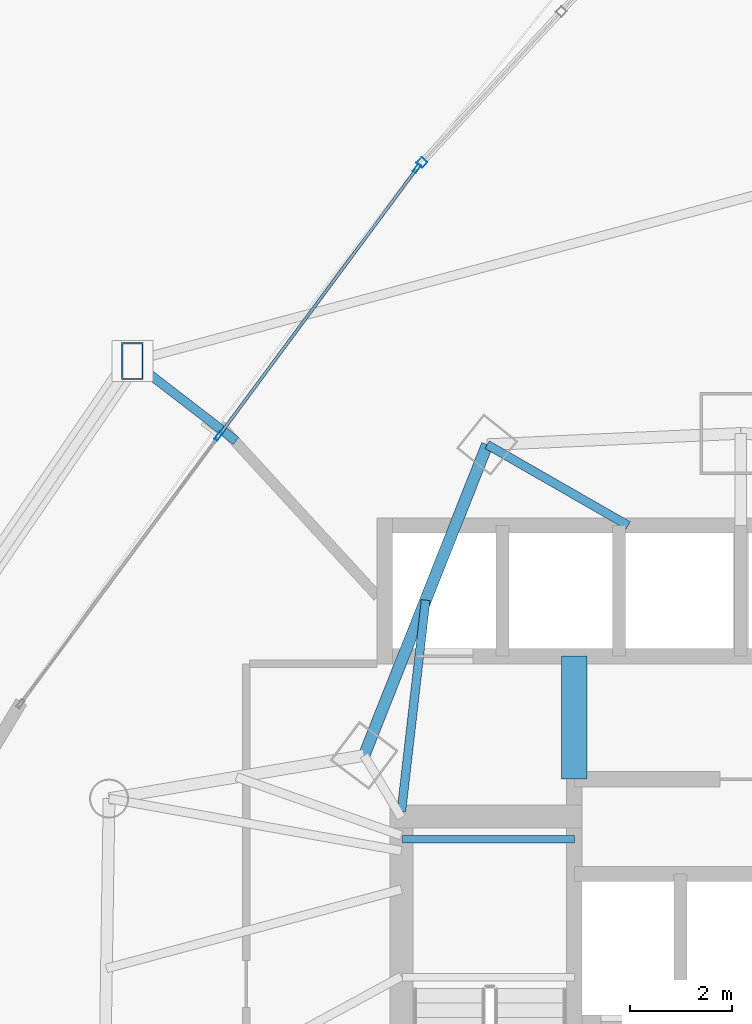
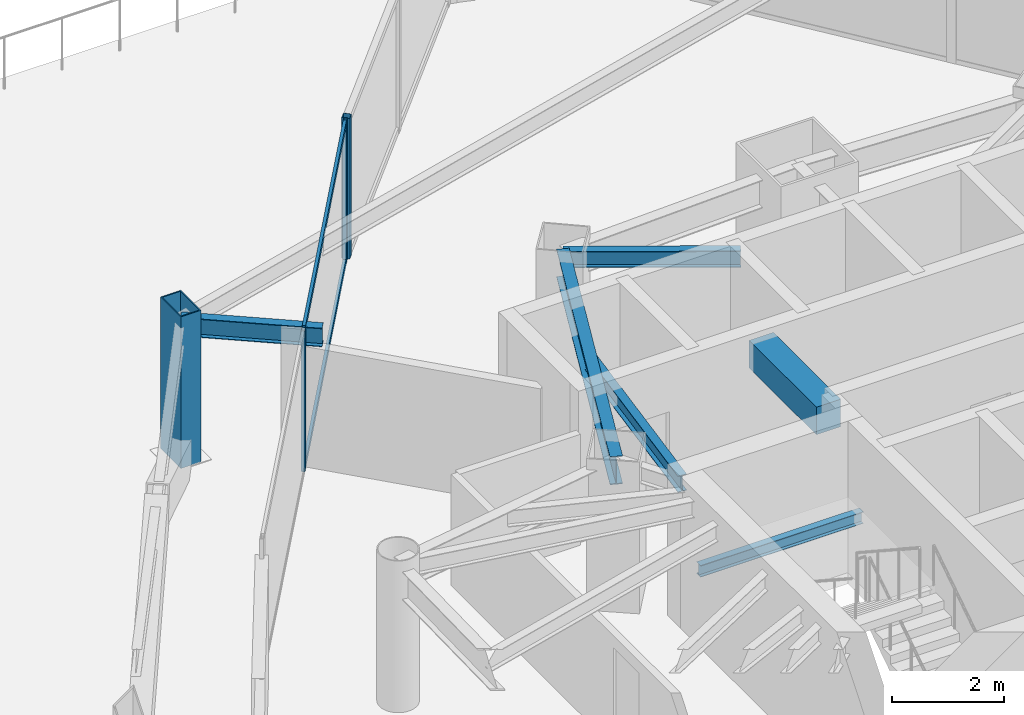
# One storey, part 22 of 36: 6 beams, 6 members, 2 elements without a shape of their own.
"""IFC4 building model written with IfcOpenShell, lengths in metres."""

import ifcopenshell
import ifcopenshell.guid

model = None  # the IFC model being written
_history = None  # IfcOwnerHistory: only IFC2X3 demands one
_inside = {}  # id of a spatial element -> (the spatial element, [elements in it])
_under = {}  # id of a project, library or spatial element -> (it, [spatial elements below it])
_declared = {}  # id of a project -> (the project, [libraries it declares])
_typed = {}  # id of a type object -> (the type object, [elements of that type])
_made_of = {}  # id of a material, layer set ... -> (it, [elements and type objects made of it])


def new_model(schema):
    """Start an empty IFC model of exactly this schema.

    Asked for "IFC4X3", IfcOpenShell would pick the latest addendum, in which some entities
    have other attributes; the version numbers below select the first issue.
    IFC2X3 requires an IfcOwnerHistory on every rooted entity: one is made here for all.
    """
    global model, _history
    if schema == "IFC4X3":
        model = ifcopenshell.file(schema_version=(4, 3, 0, 0))
    else:
        model = ifcopenshell.file(schema=schema)
    _inside.clear()
    _under.clear()
    _declared.clear()
    _typed.clear()
    _made_of.clear()
    _history = None
    if model.schema == "IFC2X3":
        org = make("IfcOrganization", Name="unknown")
        user = make(
            "IfcPersonAndOrganization",
            ThePerson=make("IfcPerson", FamilyName="unknown"),
            TheOrganization=org,
        )
        app = make(
            "IfcApplication",
            ApplicationDeveloper=org,
            Version="unknown",
            ApplicationFullName="unknown",
            ApplicationIdentifier="unknown",
        )
        _history = make(
            "IfcOwnerHistory",
            OwningUser=user,
            OwningApplication=app,
            ChangeAction="ADDED",
            CreationDate=0,
        )
    return model


def make(cls, **values):
    """One entity of the class cls with the attributes given. An attribute that is None is left unset."""
    return model.create_entity(
        cls, **{name: value for name, value in values.items() if value is not None}
    )


def rooted(cls, **values):
    """An entity with a GlobalId (a new one), such as an element, a storey or a relation."""
    return make(cls, GlobalId=ifcopenshell.guid.new(), OwnerHistory=_history, **values)


def si_unit(unit_type, name, prefix=None):
    """IfcSIUnit, for example si_unit("LENGTHUNIT", "METRE", prefix="MILLI")."""
    return make("IfcSIUnit", UnitType=unit_type, Prefix=prefix, Name=name)


def assignment(units):
    """IfcUnitAssignment: the units of a project."""
    return None if units is None else make("IfcUnitAssignment", Units=units)


def point(xyz):
    """IfcCartesianPoint."""
    return None if xyz is None else make("IfcCartesianPoint", Coordinates=xyz)


def direction(xyz):
    """IfcDirection."""
    return None if xyz is None else make("IfcDirection", DirectionRatios=xyz)


def frame(location, z_axis=None, x_axis=None):
    """IfcAxis2Placement3D, a coordinate frame: its origin and axes. An axis left out is left unset."""
    return make(
        "IfcAxis2Placement3D",
        Location=point(location),
        Axis=direction(z_axis),
        RefDirection=direction(x_axis),
    )


def frame_2d(location, x_axis=None):
    """IfcAxis2Placement2D, a coordinate frame in the plane: its origin and x axis."""
    return make(
        "IfcAxis2Placement2D", Location=point(location), RefDirection=direction(x_axis)
    )


def origin():
    """The frame at (0, 0, 0) with its axes left unset."""
    return frame((0.0, 0.0, 0.0))


def origin_2d():
    """The frame at (0, 0) in the plane with its x axis left unset."""
    return frame_2d((0.0, 0.0))


def place(relative_to, where):
    """IfcLocalPlacement: puts the frame where relative to a parent placement (None: the world)."""
    return make(
        "IfcLocalPlacement", PlacementRelTo=relative_to, RelativePlacement=where
    )


def context(
    kind, dimensions, precision=None, world=None, true_north=None, identifier=None
):
    """IfcGeometricRepresentationContext, for example the 3D "Model" context."""
    return make(
        "IfcGeometricRepresentationContext",
        ContextIdentifier=identifier,
        ContextType=kind,
        CoordinateSpaceDimension=dimensions,
        Precision=precision,
        WorldCoordinateSystem=world,
        TrueNorth=true_north,
    )


def subcontext(parent, identifier, kind, view, scale=None):
    """IfcGeometricRepresentationSubContext, for example "Body" below "Model"."""
    return make(
        "IfcGeometricRepresentationSubContext",
        ContextIdentifier=identifier,
        ContextType=kind,
        ParentContext=parent,
        TargetScale=scale,
        TargetView=view,
    )


def project(units=None, contexts=None):
    """IfcProject with its units and contexts."""
    return rooted(
        "IfcProject",
        Name="project",
        RepresentationContexts=contexts,
        UnitsInContext=assignment(units),
    )


def spatial(cls, under=None, at=None, **own):
    """A site, building, storey or space (cls), placed at a placement, below another one or the project."""
    s = rooted(cls, ObjectPlacement=at, **own)
    if under is not None:
        _under.setdefault(under.id(), (under, []))[1].append(s)
    return s


def profile(cls, at=None, kind="AREA", **sizes):
    """A parametric profile (cls). Its sizes go by their IFC names, for example OverallWidth=200.0."""
    return make(cls, ProfileType=kind, Position=at, **sizes)


def rectangle(**sizes):
    """IfcRectangleProfileDef."""
    return profile("IfcRectangleProfileDef", **sizes)


def hollow_rectangle(**sizes):
    """IfcRectangleHollowProfileDef."""
    return profile("IfcRectangleHollowProfileDef", **sizes)


def i_section(**sizes):
    """IfcIShapeProfileDef."""
    return profile("IfcIShapeProfileDef", **sizes)


def extrude(swept, where, along, depth):
    """IfcExtrudedAreaSolid: the profile swept, set in the frame where, extruded along a direction by depth."""
    return make(
        "IfcExtrudedAreaSolid",
        SweptArea=swept,
        Position=where,
        ExtrudedDirection=direction(along),
        Depth=depth,
    )


def shape(context_of_items, identifier, shape_type, items):
    """IfcShapeRepresentation: the items that make up one representation, for example the "Body"."""
    return make(
        "IfcShapeRepresentation",
        ContextOfItems=context_of_items,
        RepresentationIdentifier=identifier,
        RepresentationType=shape_type,
        Items=items,
    )


def material(Name=None, Category=None):
    """IfcMaterial."""
    return make("IfcMaterial", Name=Name, Category=Category)


def layer(
    of_material, thickness, ventilated=None, Name=None, Category=None, Priority=None
):
    """IfcMaterialLayer: one layer of a wall or slab, of a material (None: an air gap)."""
    return make(
        "IfcMaterialLayer",
        Material=of_material,
        LayerThickness=thickness,
        IsVentilated=ventilated,
        Name=Name,
        Category=Category,
        Priority=Priority,
    )


def layer_set(layers, Name=None):
    """IfcMaterialLayerSet."""
    return make("IfcMaterialLayerSet", MaterialLayers=layers, LayerSetName=Name)


def material_profile(
    of_material, cross_section, Name=None, Category=None, Priority=None
):
    """IfcMaterialProfile: a cross section and its material."""
    return make(
        "IfcMaterialProfile",
        Name=Name,
        Material=of_material,
        Profile=cross_section,
        Priority=Priority,
        Category=Category,
    )


def profile_set(profiles, Name=None, composite=None):
    """IfcMaterialProfileSet."""
    return make(
        "IfcMaterialProfileSet",
        Name=Name,
        MaterialProfiles=profiles,
        CompositeProfile=composite,
    )


def made_of(thing, what):
    """Note that an element or type object is made of a material, layer set ...; save() writes the relation."""
    if what is not None:
        _made_of.setdefault(what.id(), (what, []))[1].append(thing)
    return thing


def type_object(cls, material=None, **own):
    """A type object (cls), such as IfcWallType, which elements share."""
    return made_of(rooted(cls, **own), material)


def element(
    cls,
    number,
    at=None,
    inside=None,
    cuts=None,
    type_object=None,
    material=None,
    context=None,
    identifier="Body",
    shape_type=None,
    held_by="IfcProductDefinitionShape",
    body=None,
    shapes=None,
    **own,
):
    """One element of the class cls, such as IfcWall. Its Tag is "e" and its number.

    at: its placement. inside: the storey or other place that contains it. cuts: it is an
    opening in that element (IfcRelVoidsElement). A single representation is given by context,
    identifier, shape_type and body (its items); several are given by shapes. held_by: the class
    of the entity that holds the representations. save() writes the other relations.
    """
    e = rooted(cls, Tag="e%d" % number, ObjectPlacement=at, **own)
    if body is not None:
        shapes = [shape(context, identifier, shape_type, body)]
    if shapes is not None:
        e.Representation = make(held_by, Representations=shapes)
    if inside is not None:
        _inside.setdefault(inside.id(), (inside, []))[1].append(e)
    if cuts is not None:
        rooted(
            "IfcRelVoidsElement", RelatingBuildingElement=cuts, RelatedOpeningElement=e
        )
    if type_object is not None:
        _typed.setdefault(type_object.id(), (type_object, []))[1].append(e)
    return made_of(e, material)


def aggregate(whole, parts):
    """IfcRelAggregates: a whole, such as a stair, and the parts it consists of."""
    return rooted("IfcRelAggregates", RelatingObject=whole, RelatedObjects=parts)


def save(model, path):
    """Write the relations noted so far, then the file.

    IfcRelAggregates (storeys below a building ...), IfcRelContainedInSpatialStructure (elements
    in a storey), IfcRelDefinesByType, IfcRelAssociatesMaterial and IfcRelDeclares: one each for
    every whole, place, type object, material and project.
    """
    for whole, parts in _under.values():
        aggregate(whole, parts)
    for where, things in _inside.values():
        rooted(
            "IfcRelContainedInSpatialStructure",
            RelatedElements=things,
            RelatingStructure=where,
        )
    for kind, things in _typed.values():
        rooted("IfcRelDefinesByType", RelatedObjects=things, RelatingType=kind)
    for what, things in _made_of.values():
        rooted("IfcRelAssociatesMaterial", RelatedObjects=things, RelatingMaterial=what)
    for by, libraries in _declared.values():
        rooted("IfcRelDeclares", RelatingContext=by, RelatedDefinitions=libraries)
    model.write(path)


model = new_model("IFC4")

# Units and contexts
model_context = context("Model", 3, precision=1e-05, world=origin(), true_north=direction((0.0, 1.0)))
body_context = subcontext(model_context, "Body", "Model", "MODEL_VIEW")
ifc_project = project(units=[si_unit("LENGTHUNIT", "METRE"), si_unit("AREAUNIT", "SQUARE_METRE"), si_unit("VOLUMEUNIT", "CUBIC_METRE"), si_unit("PLANEANGLEUNIT", "RADIAN"), si_unit("MASSUNIT", "GRAM", prefix="KILO")], contexts=[model_context])

# Site, building, storey
site_placement = place(None, origin())
site = spatial("IfcSite", under=ifc_project, at=site_placement, CompositionType="ELEMENT")
building_placement = place(site_placement, origin())
building = spatial("IfcBuilding", under=site, at=building_placement, Name="Orvanel Arch Residences", CompositionType="ELEMENT")
storey_placement = place(building_placement, frame((0.0, 0.0, 23.60009765625)))
storey = spatial("IfcBuildingStorey", under=building, at=storey_placement, Name="L05", CompositionType="ELEMENT", Elevation=23.60009765625)

# Beams
ifc_material_1 = material(Name="Structural steel AS/NZS 3679.1 Grade 300 (300 MPa)", Category="steel")
ifc_material_profile_1 = material_profile(ifc_material_1, i_section(OverallWidth=0.14599609375, OverallDepth=0.251953125, WebThickness=0.006103515625, FlangeThickness=0.008544921875, at=origin_2d()), Name="250UB31.4")
ifc_profile_set_1 = profile_set([ifc_material_profile_1], Name="Structural steel AS/NZS 3679.1 Grade 300 (300 MPa)")
beam_type_1 = type_object("IfcBeamType", Name="BJ-250UB", PredefinedType="JOIST", material=ifc_profile_set_1)
beam_1_placement = place(storey_placement, frame((26.39990234375, 33.47998046875, 1.323974609375), z_axis=(1.0, 0.0, 0.0), x_axis=(0.0, 1.0, 0.0)))
element("IfcBeam", 1, at=beam_1_placement, inside=storey, type_object=beam_type_1, Name="L05 ST-1 Half-Landing Support Beam 1.2", PredefinedType="JOIST", context=body_context, shape_type="SweptSolid", body=[
    extrude(i_section(OverallWidth=0.14599609375, OverallDepth=0.251953125, WebThickness=0.006103515625, FlangeThickness=0.008544921875, at=origin_2d()), origin(), (0.0, 0.0, 1.0), 3.35009765625),
])
ifc_material_profile_2 = material_profile(ifc_material_1, i_section(OverallWidth=0.1708984375, OverallDepth=0.35595703125, WebThickness=0.00732421875, FlangeThickness=0.011474609375, at=origin_2d()), Name="360UB50.7")
ifc_profile_set_2 = profile_set([ifc_material_profile_2], Name="Structural steel AS/NZS 3679.1 Grade 300 (300 MPa)")
beam_type_2 = type_object("IfcBeamType", Name="BJ-360UB", PredefinedType="JOIST", material=ifc_profile_set_2)
beam_2_placement = place(storey_placement, frame((26.375, 34.02001953125, 2.8818359375), z_axis=(0.114186670431, 0.993459311847, 0.0), x_axis=(-0.993459311847, 0.114186670431, 0.0)))
element("IfcBeam", 2, at=beam_2_placement, inside=storey, type_object=beam_type_2, Name="L05 NNW2 Wing Floor Joist", PredefinedType="JOIST", context=body_context, shape_type="SweptSolid", body=[
    extrude(i_section(OverallWidth=0.1708984375, OverallDepth=0.35595703125, WebThickness=0.00732421875, FlangeThickness=0.011474609375, at=origin_2d()), origin(), (0.0, 0.0, 1.0), 4.152099609375),
])
beam_3_placement = place(storey_placement, frame((30.800048828125, 39.60009765625, 2.8818359375), z_axis=(-0.86736513383, 0.497672306458, 0.0), x_axis=(-0.497672306458, -0.86736513383, 0.0)))
element("IfcBeam", 3, at=beam_3_placement, inside=storey, type_object=beam_type_2, Name="L05 MNW Wing Floor Joist", PredefinedType="JOIST", context=body_context, shape_type="SweptSolid", body=[
    extrude(i_section(OverallWidth=0.1708984375, OverallDepth=0.35595703125, WebThickness=0.00732421875, FlangeThickness=0.011474609375, at=origin_2d()), origin(), (0.0, 0.0, 1.0), 3.17041015625),
])
ifc_material_2 = material(Name="Concrete S65 (65 MPa)", Category="concrete")
ifc_material_profile_3 = material_profile(ifc_material_2, rectangle(XDim=0.5, YDim=0.60009765625, at=origin_2d()), Name="RC500x600")
ifc_profile_set_3 = profile_set([ifc_material_profile_3], Name="Concrete S65 (65 MPa)")
beam_type_3 = type_object("IfcBeamType", Name="CB-500x600", PredefinedType="LINTEL", material=ifc_profile_set_3)
beam_4_placement = place(storey_placement, frame((29.75, 34.64990234375, 2.760009765625), z_axis=(0.0, 1.0, 0.0), x_axis=(-1.0, 0.0, 0.0)))
element("IfcBeam", 4, at=beam_4_placement, inside=storey, type_object=beam_type_3, Name="L05 West Core Lobby Coupling Lintel Beam", PredefinedType="LINTEL", context=body_context, shape_type="SweptSolid", body=[
    extrude(rectangle(XDim=0.5, YDim=0.60009765625, at=origin_2d()), origin(), (0.0, 0.0, 1.0), 2.400146484375),
])

# Member
ifc_material_3 = material(Name="Structural steel AS/NZS 3678 Grade 350", Category="steel")
ifc_material_profile_4 = material_profile(ifc_material_3, hollow_rectangle(XDim=0.419921875, YDim=0.719970703125, WallThickness=0.02490234375, at=origin_2d()), Name="RHS720x420x25")
ifc_profile_set_4 = profile_set([ifc_material_profile_4], Name="Structural steel AS/NZS 3678 Grade 350")
member_type_1 = type_object("IfcMemberType", Name="CH-720RHS-EXT", PredefinedType="CHORD", material=ifc_profile_set_4)
member_1_placement = place(storey_placement, frame((21.126953125, 42.80908203125, 0.0), z_axis=(0.0, 0.0, 1.0), x_axis=(1.0, 0.0, 0.0)))
element("IfcMember", 5, at=member_1_placement, inside=storey, type_object=member_type_1, Name="L05 Outer Perimeter Frame Post 01", PredefinedType="CHORD", context=body_context, shape_type="SweptSolid", body=[
    extrude(hollow_rectangle(XDim=0.419921875, YDim=0.719970703125, WallThickness=0.02490234375, at=origin_2d()), origin(), (0.0, 0.0, 1.0), 3.2998046875),
])

# Curtain wall, member
ifc_material_4 = material(Name="Bronze-anodised aluminium AA6063-T6", Category="aluminium")
ifc_layer_1 = layer(ifc_material_4, 0.18994140625)
ifc_layer_set_1 = layer_set([ifc_layer_1], Name="Bronze-anodised aluminium AA6063-T6")
curtain_wall_type_1 = type_object("IfcCurtainWallType", Name="CW5-CRN-SYS", PredefinedType="NOTDEFINED", material=ifc_layer_set_1)
curtain_wall_1_placement = place(storey_placement, origin())
curtain_wall_1 = element("IfcCurtainWall", 6, at=curtain_wall_1_placement, inside=storey, type_object=curtain_wall_type_1, Name="L05 CW5-CRN-SYS Unitised Curtain Wall", PredefinedType="NOTDEFINED")
ifc_material_profile_5 = material_profile(ifc_material_4, hollow_rectangle(XDim=0.14990234375, YDim=0.14990234375, WallThickness=0.0048828125, at=origin_2d()), Name="ALU150x150x5")
ifc_profile_set_5 = profile_set([ifc_material_profile_5], Name="Bronze-anodised aluminium AA6063-T6")
member_type_2 = type_object("IfcMemberType", Name="MUL-150x150", PredefinedType="MULLION", material=ifc_profile_set_5)
member_2_placement = place(storey_placement, frame((26.77587890625, 46.68408203125, 0.0), z_axis=(0.0, 0.0, 1.0), x_axis=(0.734704866707, -0.678386879912, 0.0)))
member_2 = element("IfcMember", 7, at=member_2_placement, type_object=member_type_2, Name="CW-S5 mullion 3", PredefinedType="MULLION", context=body_context, shape_type="SweptSolid", body=[
    extrude(hollow_rectangle(XDim=0.14990234375, YDim=0.14990234375, WallThickness=0.0048828125, at=origin_2d()), origin(), (0.0, 0.0, 1.0), 3.059814453125),
])
aggregate(curtain_wall_1, [member_2])

# Curtain wall, members
ifc_layer_2 = layer(ifc_material_4, 0.179931640625)
ifc_layer_set_2 = layer_set([ifc_layer_2], Name="Bronze-anodised aluminium AA6063-T6")
curtain_wall_type_2 = type_object("IfcCurtainWallType", Name="CW2-LOW-SYS", PredefinedType="NOTDEFINED", material=ifc_layer_set_2)
curtain_wall_2_placement = place(storey_placement, origin())
curtain_wall_2 = element("IfcCurtainWall", 8, at=curtain_wall_2_placement, inside=storey, type_object=curtain_wall_type_2, Name="L05 CW2-LOW-SYS Unitised Curtain Wall", PredefinedType="NOTDEFINED")
ifc_material_profile_6 = material_profile(ifc_material_4, hollow_rectangle(XDim=0.070068359375, YDim=0.179931640625, WallThickness=0.00439453125, at=origin_2d()), Name="ALU180x70x4.5")
ifc_profile_set_6 = profile_set([ifc_material_profile_6], Name="Bronze-anodised aluminium AA6063-T6")
member_type_3 = type_object("IfcMemberType", Name="MUL-180x70", PredefinedType="MULLION", material=ifc_profile_set_6)
member_3_placement = place(storey_placement, frame((26.67822265625, 46.56982421875, 0.0), z_axis=(0.0, 0.0, 1.0), x_axis=(0.803638489605, -0.595117785002, 0.0)))
member_3 = element("IfcMember", 9, at=member_3_placement, type_object=member_type_3, Name="CW-S2 mullion 1", PredefinedType="MULLION", context=body_context, shape_type="SweptSolid", body=[
    extrude(hollow_rectangle(XDim=0.070068359375, YDim=0.179931640625, WallThickness=0.00439453125, at=origin_2d()), origin(), (0.0, 0.0, 1.0), 3.059814453125),
])
member_4_placement = place(storey_placement, frame((22.80908203125, 41.344970703125, 0.0), z_axis=(0.0, 0.0, 1.0), x_axis=(0.803638489605, -0.595117785002, 0.0)))
member_4 = element("IfcMember", 10, at=member_4_placement, type_object=member_type_3, Name="CW-S2 mullion 2", PredefinedType="MULLION", context=body_context, shape_type="SweptSolid", body=[
    extrude(hollow_rectangle(XDim=0.070068359375, YDim=0.179931640625, WallThickness=0.00439453125, at=origin_2d()), origin(), (0.0, 0.0, 1.0), 3.059814453125),
])

# Beams
ifc_material_profile_7 = material_profile(ifc_material_1, i_section(OverallWidth=0.177978515625, OverallDepth=0.406005859375, WebThickness=0.0078125, FlangeThickness=0.0126953125, at=origin_2d()), Name="410UB59.7")
ifc_profile_set_7 = profile_set([ifc_material_profile_7], Name="Structural steel AS/NZS 3679.1 Grade 300 (300 MPa)")
beam_type_4 = type_object("IfcBeamType", Name="OB-410UB-EXT", PredefinedType="SPANDREL", material=ifc_profile_set_7)
beam_5_placement = place(storey_placement, frame((23.14697265625, 41.251953125, 2.85693359375), z_axis=(-0.792004411618, 0.610515365881, 0.0), x_axis=(-0.610515365881, -0.792004411618, 0.0)))
element("IfcBeam", 11, at=beam_5_placement, inside=storey, type_object=beam_type_4, Name="L05 Outer Frame Radial Tie Beam 01", PredefinedType="SPANDREL", context=body_context, shape_type="SweptSolid", body=[
    extrude(i_section(OverallWidth=0.177978515625, OverallDepth=0.406005859375, WebThickness=0.0078125, FlangeThickness=0.0126953125, at=origin_2d()), origin(), (0.0, 0.0, 1.0), 2.550537109375),
])
ifc_material_profile_8 = material_profile(ifc_material_1, i_section(OverallWidth=0.22900390625, OverallDepth=0.612060546875, WebThickness=0.011962890625, FlangeThickness=0.01953125, at=origin_2d()), Name="610UB125")
ifc_profile_set_8 = profile_set([ifc_material_profile_8], Name="Structural steel AS/NZS 3679.1 Grade 300 (300 MPa)")
beam_type_5 = type_object("IfcBeamType", Name="SP-610UB", PredefinedType="SPANDREL", material=ifc_profile_set_8)
beam_6_placement = place(storey_placement, frame((28.050048828125, 41.177978515625, 2.75390625), z_axis=(-0.368233143579, -0.929733484376, 0.0), x_axis=(0.929733484376, -0.368233143579, 0.0)))
element("IfcBeam", 12, at=beam_6_placement, inside=storey, type_object=beam_type_5, Name="L05 Perimeter Spandrel Beam 18", PredefinedType="SPANDREL", context=body_context, shape_type="SweptSolid", body=[
    extrude(i_section(OverallWidth=0.22900390625, OverallDepth=0.612060546875, WebThickness=0.011962890625, FlangeThickness=0.01953125, at=origin_2d()), origin(), (0.0, 0.0, 1.0), 6.523193359375),
])

# Member
ifc_material_profile_9 = material_profile(ifc_material_4, hollow_rectangle(XDim=0.06005859375, YDim=0.135009765625, WallThickness=0.00390625, at=origin_2d()), Name="ALU135x60x4")
ifc_profile_set_9 = profile_set([ifc_material_profile_9], Name="Bronze-anodised aluminium AA6063-T6")
member_type_4 = type_object("IfcMemberType", Name="TRN-135x60", PredefinedType="USERDEFINED", material=ifc_profile_set_9)
member_5_placement = place(storey_placement, frame((26.6572265625, 46.541748046875, 0.02978515625), z_axis=(-0.595099541417, -0.803651999192, 0.0), x_axis=(0.803651999192, -0.595099541417, 0.0)))
member_5 = element("IfcMember", 13, at=member_5_placement, type_object=member_type_4, Name="CW-S2 transom 1.1", ObjectType="TRANSOM", PredefinedType="USERDEFINED", context=body_context, shape_type="SweptSolid", body=[
    extrude(hollow_rectangle(XDim=0.06005859375, YDim=0.135009765625, WallThickness=0.00390625, at=origin_2d()), origin(), (0.0, 0.0, 1.0), 6.431396484375),
])

member_6_placement = place(storey_placement, frame((26.6572265625, 46.541748046875, 3.02978515625), z_axis=(-0.595099541417, -0.803651999192, 0.0), x_axis=(0.803651999192, -0.595099541417, 0.0)))
member_6 = element("IfcMember", 14, at=member_6_placement, type_object=member_type_4, Name="CW-S2 transom 1.2", ObjectType="TRANSOM", PredefinedType="USERDEFINED", context=body_context, shape_type="SweptSolid", body=[
    extrude(hollow_rectangle(XDim=0.06005859375, YDim=0.135009765625, WallThickness=0.00390625, at=origin_2d()), origin(), (0.0, 0.0, 1.0), 6.431396484375),
])

aggregate(curtain_wall_2, [member_3, member_4, member_5, member_6])

save(model, "model.ifc")
